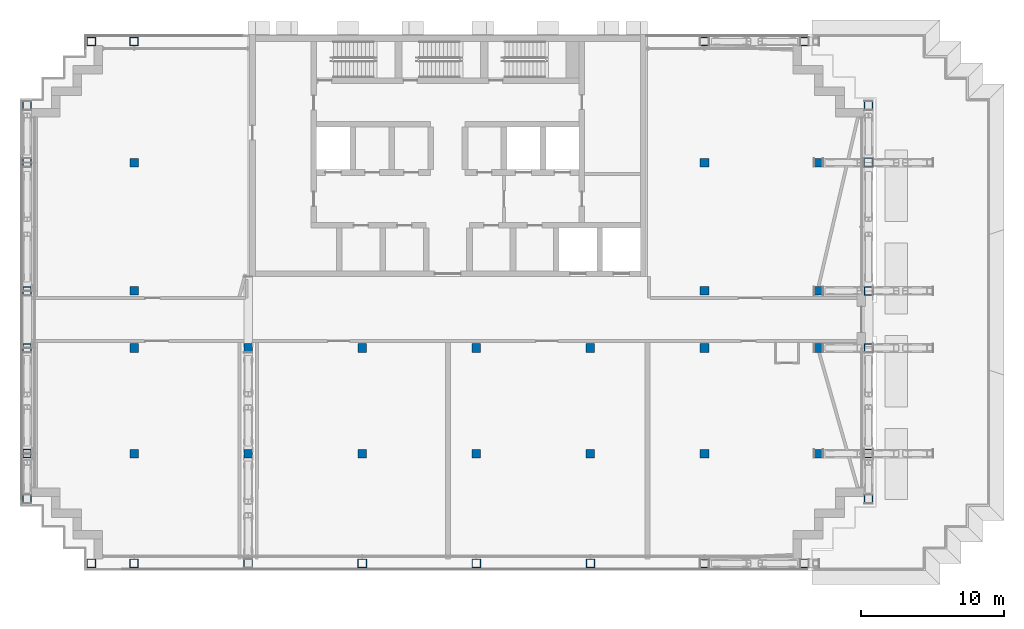
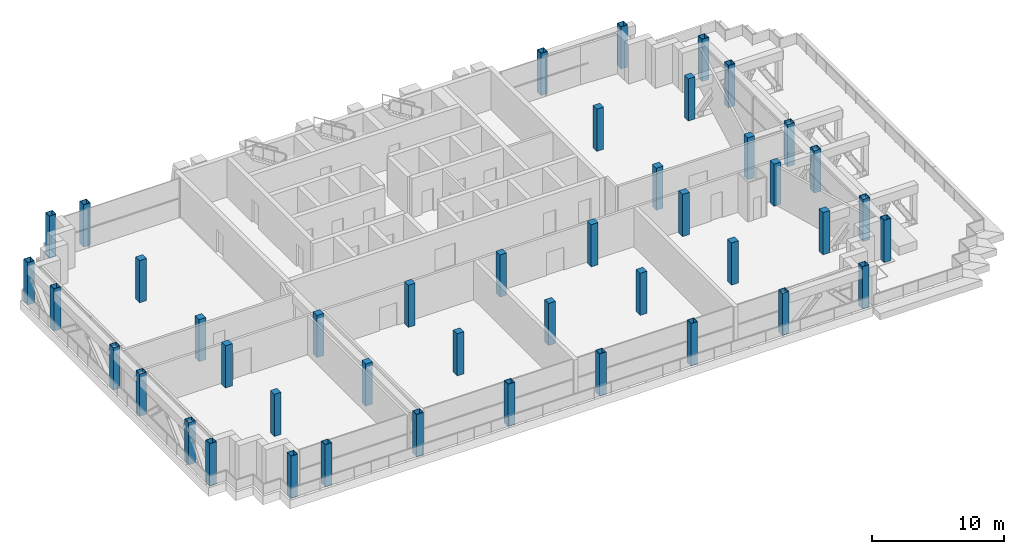
# One storey, part 1 of 21: 44 columns.
"""IFC4 building model written with IfcOpenShell, lengths in metres."""

import ifcopenshell
import ifcopenshell.guid

model = None  # the IFC model being written
_history = None  # IfcOwnerHistory: only IFC2X3 demands one
_inside = {}  # id of a spatial element -> (the spatial element, [elements in it])
_under = {}  # id of a project, library or spatial element -> (it, [spatial elements below it])
_declared = {}  # id of a project -> (the project, [libraries it declares])
_typed = {}  # id of a type object -> (the type object, [elements of that type])
_made_of = {}  # id of a material, layer set ... -> (it, [elements and type objects made of it])


def new_model(schema):
    """Start an empty IFC model of exactly this schema.

    Asked for "IFC4X3", IfcOpenShell would pick the latest addendum, in which some entities
    have other attributes; the version numbers below select the first issue.
    IFC2X3 requires an IfcOwnerHistory on every rooted entity: one is made here for all.
    """
    global model, _history
    if schema == "IFC4X3":
        model = ifcopenshell.file(schema_version=(4, 3, 0, 0))
    else:
        model = ifcopenshell.file(schema=schema)
    _inside.clear()
    _under.clear()
    _declared.clear()
    _typed.clear()
    _made_of.clear()
    _history = None
    if model.schema == "IFC2X3":
        org = make("IfcOrganization", Name="unknown")
        user = make(
            "IfcPersonAndOrganization",
            ThePerson=make("IfcPerson", FamilyName="unknown"),
            TheOrganization=org,
        )
        app = make(
            "IfcApplication",
            ApplicationDeveloper=org,
            Version="unknown",
            ApplicationFullName="unknown",
            ApplicationIdentifier="unknown",
        )
        _history = make(
            "IfcOwnerHistory",
            OwningUser=user,
            OwningApplication=app,
            ChangeAction="ADDED",
            CreationDate=0,
        )
    return model


def make(cls, **values):
    """One entity of the class cls with the attributes given. An attribute that is None is left unset."""
    return model.create_entity(
        cls, **{name: value for name, value in values.items() if value is not None}
    )


def rooted(cls, **values):
    """An entity with a GlobalId (a new one), such as an element, a storey or a relation."""
    return make(cls, GlobalId=ifcopenshell.guid.new(), OwnerHistory=_history, **values)


def si_unit(unit_type, name, prefix=None):
    """IfcSIUnit, for example si_unit("LENGTHUNIT", "METRE", prefix="MILLI")."""
    return make("IfcSIUnit", UnitType=unit_type, Prefix=prefix, Name=name)


def assignment(units):
    """IfcUnitAssignment: the units of a project."""
    return None if units is None else make("IfcUnitAssignment", Units=units)


def point(xyz):
    """IfcCartesianPoint."""
    return None if xyz is None else make("IfcCartesianPoint", Coordinates=xyz)


def direction(xyz):
    """IfcDirection."""
    return None if xyz is None else make("IfcDirection", DirectionRatios=xyz)


def frame(location, z_axis=None, x_axis=None):
    """IfcAxis2Placement3D, a coordinate frame: its origin and axes. An axis left out is left unset."""
    return make(
        "IfcAxis2Placement3D",
        Location=point(location),
        Axis=direction(z_axis),
        RefDirection=direction(x_axis),
    )


def frame_2d(location, x_axis=None):
    """IfcAxis2Placement2D, a coordinate frame in the plane: its origin and x axis."""
    return make(
        "IfcAxis2Placement2D", Location=point(location), RefDirection=direction(x_axis)
    )


def origin():
    """The frame at (0, 0, 0) with its axes left unset."""
    return frame((0.0, 0.0, 0.0))


def origin_2d():
    """The frame at (0, 0) in the plane with its x axis left unset."""
    return frame_2d((0.0, 0.0))


def place(relative_to, where):
    """IfcLocalPlacement: puts the frame where relative to a parent placement (None: the world)."""
    return make(
        "IfcLocalPlacement", PlacementRelTo=relative_to, RelativePlacement=where
    )


def context(
    kind, dimensions, precision=None, world=None, true_north=None, identifier=None
):
    """IfcGeometricRepresentationContext, for example the 3D "Model" context."""
    return make(
        "IfcGeometricRepresentationContext",
        ContextIdentifier=identifier,
        ContextType=kind,
        CoordinateSpaceDimension=dimensions,
        Precision=precision,
        WorldCoordinateSystem=world,
        TrueNorth=true_north,
    )


def subcontext(parent, identifier, kind, view, scale=None):
    """IfcGeometricRepresentationSubContext, for example "Body" below "Model"."""
    return make(
        "IfcGeometricRepresentationSubContext",
        ContextIdentifier=identifier,
        ContextType=kind,
        ParentContext=parent,
        TargetScale=scale,
        TargetView=view,
    )


def project(units=None, contexts=None):
    """IfcProject with its units and contexts."""
    return rooted(
        "IfcProject",
        Name="project",
        RepresentationContexts=contexts,
        UnitsInContext=assignment(units),
    )


def spatial(cls, under=None, at=None, **own):
    """A site, building, storey or space (cls), placed at a placement, below another one or the project."""
    s = rooted(cls, ObjectPlacement=at, **own)
    if under is not None:
        _under.setdefault(under.id(), (under, []))[1].append(s)
    return s


def profile(cls, at=None, kind="AREA", **sizes):
    """A parametric profile (cls). Its sizes go by their IFC names, for example OverallWidth=200.0."""
    return make(cls, ProfileType=kind, Position=at, **sizes)


def rectangle(**sizes):
    """IfcRectangleProfileDef."""
    return profile("IfcRectangleProfileDef", **sizes)


def hollow_rectangle(**sizes):
    """IfcRectangleHollowProfileDef."""
    return profile("IfcRectangleHollowProfileDef", **sizes)


def extrude(swept, where, along, depth):
    """IfcExtrudedAreaSolid: the profile swept, set in the frame where, extruded along a direction by depth."""
    return make(
        "IfcExtrudedAreaSolid",
        SweptArea=swept,
        Position=where,
        ExtrudedDirection=direction(along),
        Depth=depth,
    )


def shape(context_of_items, identifier, shape_type, items):
    """IfcShapeRepresentation: the items that make up one representation, for example the "Body"."""
    return make(
        "IfcShapeRepresentation",
        ContextOfItems=context_of_items,
        RepresentationIdentifier=identifier,
        RepresentationType=shape_type,
        Items=items,
    )


def material(Name=None, Category=None):
    """IfcMaterial."""
    return make("IfcMaterial", Name=Name, Category=Category)


def material_profile(
    of_material, cross_section, Name=None, Category=None, Priority=None
):
    """IfcMaterialProfile: a cross section and its material."""
    return make(
        "IfcMaterialProfile",
        Name=Name,
        Material=of_material,
        Profile=cross_section,
        Priority=Priority,
        Category=Category,
    )


def profile_set(profiles, Name=None, composite=None):
    """IfcMaterialProfileSet."""
    return make(
        "IfcMaterialProfileSet",
        Name=Name,
        MaterialProfiles=profiles,
        CompositeProfile=composite,
    )


def made_of(thing, what):
    """Note that an element or type object is made of a material, layer set ...; save() writes the relation."""
    if what is not None:
        _made_of.setdefault(what.id(), (what, []))[1].append(thing)
    return thing


def type_object(cls, material=None, **own):
    """A type object (cls), such as IfcWallType, which elements share."""
    return made_of(rooted(cls, **own), material)


def element(
    cls,
    number,
    at=None,
    inside=None,
    cuts=None,
    type_object=None,
    material=None,
    context=None,
    identifier="Body",
    shape_type=None,
    held_by="IfcProductDefinitionShape",
    body=None,
    shapes=None,
    **own,
):
    """One element of the class cls, such as IfcWall. Its Tag is "e" and its number.

    at: its placement. inside: the storey or other place that contains it. cuts: it is an
    opening in that element (IfcRelVoidsElement). A single representation is given by context,
    identifier, shape_type and body (its items); several are given by shapes. held_by: the class
    of the entity that holds the representations. save() writes the other relations.
    """
    e = rooted(cls, Tag="e%d" % number, ObjectPlacement=at, **own)
    if body is not None:
        shapes = [shape(context, identifier, shape_type, body)]
    if shapes is not None:
        e.Representation = make(held_by, Representations=shapes)
    if inside is not None:
        _inside.setdefault(inside.id(), (inside, []))[1].append(e)
    if cuts is not None:
        rooted(
            "IfcRelVoidsElement", RelatingBuildingElement=cuts, RelatedOpeningElement=e
        )
    if type_object is not None:
        _typed.setdefault(type_object.id(), (type_object, []))[1].append(e)
    return made_of(e, material)


def aggregate(whole, parts):
    """IfcRelAggregates: a whole, such as a stair, and the parts it consists of."""
    return rooted("IfcRelAggregates", RelatingObject=whole, RelatedObjects=parts)


def save(model, path):
    """Write the relations noted so far, then the file.

    IfcRelAggregates (storeys below a building ...), IfcRelContainedInSpatialStructure (elements
    in a storey), IfcRelDefinesByType, IfcRelAssociatesMaterial and IfcRelDeclares: one each for
    every whole, place, type object, material and project.
    """
    for whole, parts in _under.values():
        aggregate(whole, parts)
    for where, things in _inside.values():
        rooted(
            "IfcRelContainedInSpatialStructure",
            RelatedElements=things,
            RelatingStructure=where,
        )
    for kind, things in _typed.values():
        rooted("IfcRelDefinesByType", RelatedObjects=things, RelatingType=kind)
    for what, things in _made_of.values():
        rooted("IfcRelAssociatesMaterial", RelatedObjects=things, RelatingMaterial=what)
    for by, libraries in _declared.values():
        rooted("IfcRelDeclares", RelatingContext=by, RelatedDefinitions=libraries)
    model.write(path)


model = new_model("IFC4")

# Units and contexts
model_context = context("Model", 3, precision=1e-05, world=origin(), true_north=direction((0.0, 1.0)))
body_context = subcontext(model_context, "Body", "Model", "MODEL_VIEW")
ifc_project = project(units=[si_unit("LENGTHUNIT", "METRE"), si_unit("AREAUNIT", "SQUARE_METRE"), si_unit("VOLUMEUNIT", "CUBIC_METRE"), si_unit("PLANEANGLEUNIT", "RADIAN"), si_unit("MASSUNIT", "GRAM", prefix="KILO")], contexts=[model_context])

# Site, building, storey
site_placement = place(None, origin())
site = spatial("IfcSite", under=ifc_project, at=site_placement, CompositionType="ELEMENT")
building_placement = place(site_placement, origin())
building = spatial("IfcBuilding", under=site, at=building_placement, Name="Vidyagriha Tower", CompositionType="ELEMENT")
storey_placement = place(building_placement, frame((0.0, 0.0, 203.699951171875)))
storey = spatial("IfcBuildingStorey", under=building, at=storey_placement, Name="L52", CompositionType="ELEMENT", Elevation=203.699951171875)

# Columns
ifc_material_1 = material(Name="Steel ASTM A572 Grade 50", Category="steel")
ifc_material_profile_1 = material_profile(ifc_material_1, hollow_rectangle(XDim=0.60009765625, YDim=0.60009765625, WallThickness=0.030029296875, at=origin_2d()), Name="BOX 600x600x30")
ifc_profile_set_1 = profile_set([ifc_material_profile_1], Name="Steel ASTM A572 Grade 50")
column_type_1 = type_object("IfcColumnType", Name="Exoskeleton column BOX 600x600x30", PredefinedType="COLUMN", material=ifc_profile_set_1)
for number, where, name in (
    (1, (-25.0, -17.10009765625, 0.0), "st-col-L52-B5-001"),
    (2, (-22.0, -17.10009765625, 0.0), "st-col-L52-B5-002"),
    (3, (-14.0, -17.10009765625, 0.0), "st-col-L52-B5-003"),
    (4, (-6.0, -17.10009765625, 0.0), "st-col-L52-B5-004"),
    (5, (2.0, -17.10009765625, 0.0), "st-col-L52-B5-005"),
    (6, (10.0, -17.10009765625, 0.0), "st-col-L52-B5-006"),
    (7, (18.0, -17.10009765625, 0.0), "st-col-L52-B5-007"),
    (8, (25.0, -17.10009765625, 0.0), "st-col-L52-B5-008"),
    (9, (-29.5, -12.60009765625, 0.0), "st-col-L52-B5-009"),
    (10, (29.5, -12.60009765625, 0.0), "st-col-L52-B5-010"),
    (11, (-29.5, -9.39990234375, 0.0), "st-col-L52-B5-011"),
    (12, (29.5, -9.39990234375, 0.0), "st-col-L52-B5-019"),
    (13, (-29.5, -2.0, 0.0), "st-col-L52-B5-020"),
    (14, (29.5, -2.0, 0.0), "st-col-L52-B5-028"),
    (15, (-29.5, 2.0, 0.0), "st-col-L52-B5-029"),
    (16, (29.5, 2.0, 0.0), "st-col-L52-B5-033"),
    (17, (-29.5, 11.0, 0.0), "st-col-L52-B5-034"),
    (18, (29.5, 11.0, 0.0), "st-col-L52-B5-038"),
    (19, (-29.5, 15.0, 0.0), "st-col-L52-B5-039"),
    (20, (29.5, 15.0, 0.0), "st-col-L52-B5-040"),
    (21, (-25.0, 19.5, 0.0), "st-col-L52-B5-041"),
    (22, (-22.0, 19.5, 0.0), "st-col-L52-B5-042"),
    (23, (18.0, 19.5, 0.0), "st-col-L52-B5-043"),
    (24, (25.0, 19.5, 0.0), "st-col-L52-B5-044"),
):
    element("IfcColumn", number, at=place(storey_placement, frame(where)), inside=storey, type_object=column_type_1, Name=name, PredefinedType="COLUMN", context=body_context, shape_type="SweptSolid", body=[
        extrude(hollow_rectangle(XDim=0.60009765625, YDim=0.60009765625, WallThickness=0.030029296875, at=origin_2d()), origin(), (0.0, 0.0, 1.0), 3.900146484375),
    ])
ifc_material_2 = material(Name="Concrete C60/75", Category="concrete")
ifc_material_profile_2 = material_profile(ifc_material_2, rectangle(XDim=0.60009765625, YDim=0.60009765625, at=origin_2d()), Name="RC 600x600")
ifc_profile_set_2 = profile_set([ifc_material_profile_2], Name="Concrete C60/75")
column_type_2 = type_object("IfcColumnType", Name="Frame column RC 600x600", PredefinedType="COLUMN", material=ifc_profile_set_2)
for number, where, name in (
    (25, (-22.0, -9.39990234375, 0.0), "st-col-L52-B5-012"),
    (26, (-14.0, -9.39990234375, 0.0), "st-col-L52-B5-013"),
    (27, (-6.0, -9.39990234375, 0.0), "st-col-L52-B5-014"),
    (28, (2.0, -9.39990234375, 0.0), "st-col-L52-B5-015"),
    (29, (10.0, -9.39990234375, 0.0), "st-col-L52-B5-016"),
    (30, (18.0, -9.39990234375, 0.0), "st-col-L52-B5-017"),
    (31, (26.0, -9.39990234375, 0.0), "st-col-L52-B5-018"),
    (32, (-22.0, -2.0, 0.0), "st-col-L52-B5-021"),
    (33, (-14.0, -2.0, 0.0), "st-col-L52-B5-022"),
    (34, (-6.0, -2.0, 0.0), "st-col-L52-B5-023"),
    (35, (2.0, -2.0, 0.0), "st-col-L52-B5-024"),
    (36, (10.0, -2.0, 0.0), "st-col-L52-B5-025"),
    (37, (18.0, -2.0, 0.0), "st-col-L52-B5-026"),
    (38, (26.0, -2.0, 0.0), "st-col-L52-B5-027"),
    (39, (-22.0, 2.0, 0.0), "st-col-L52-B5-030"),
    (40, (18.0, 2.0, 0.0), "st-col-L52-B5-031"),
    (41, (26.0, 2.0, 0.0), "st-col-L52-B5-032"),
    (42, (-22.0, 11.0, 0.0), "st-col-L52-B5-035"),
    (43, (18.0, 11.0, 0.0), "st-col-L52-B5-036"),
    (44, (26.0, 11.0, 0.0), "st-col-L52-B5-037"),
):
    element("IfcColumn", number, at=place(storey_placement, frame(where)), inside=storey, type_object=column_type_2, Name=name, PredefinedType="COLUMN", context=body_context, shape_type="SweptSolid", body=[
        extrude(rectangle(XDim=0.60009765625, YDim=0.60009765625, at=origin_2d()), origin(), (0.0, 0.0, 1.0), 3.900146484375),
    ])

save(model, "model.ifc")
